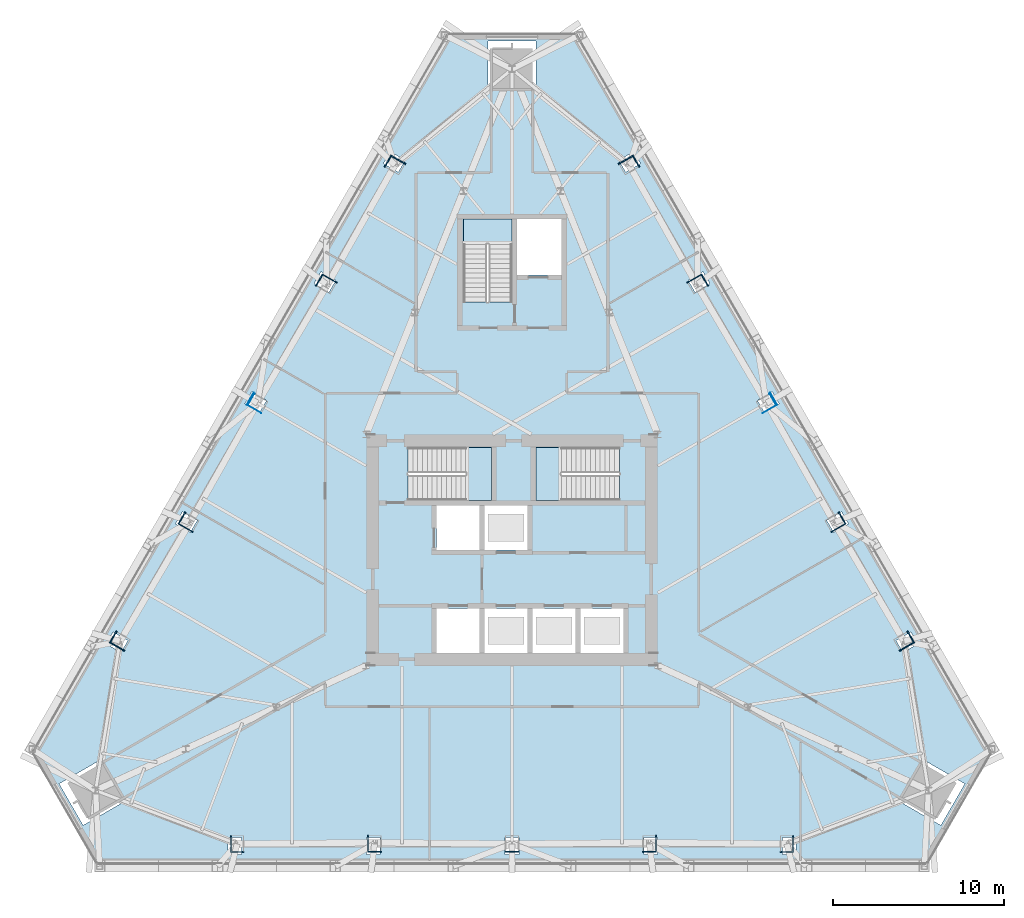
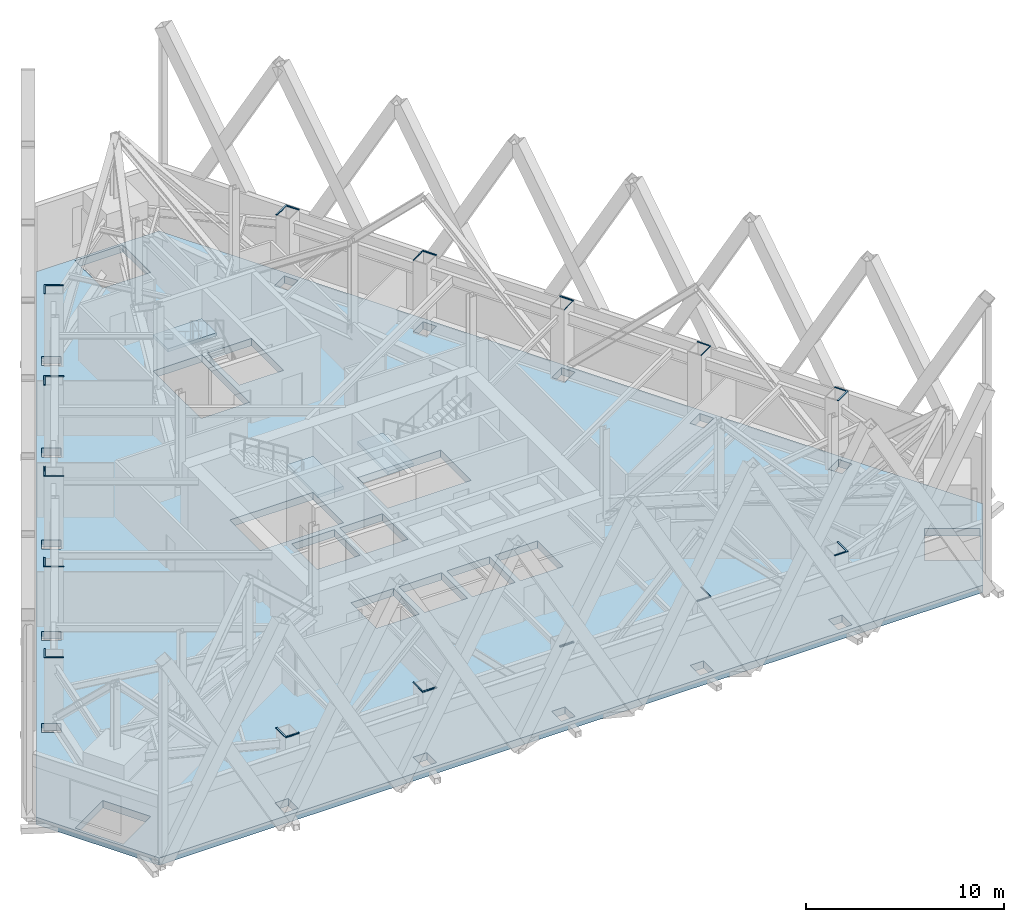
# One storey, part 6 of 16: 15 plates, 4 slabs, 3 elements without a shape of their own.
"""IFC4 building model written with IfcOpenShell, lengths in metres."""

from ifc_helpers import new_model, si_unit, direction, frame, origin, place, context, subcontext, project, spatial, polyline, outline, extrude, material, layer, layer_set, type_object, element, aggregate, save


model = new_model("IFC4")

# Units and contexts
model_context = context("Model", 3, precision=1e-05, world=origin(), true_north=direction((0.0, 1.0)))
body_context = subcontext(model_context, "Body", "Model", "MODEL_VIEW")
ifc_project = project(units=[si_unit("LENGTHUNIT", "METRE"), si_unit("AREAUNIT", "SQUARE_METRE"), si_unit("VOLUMEUNIT", "CUBIC_METRE"), si_unit("PLANEANGLEUNIT", "RADIAN"), si_unit("MASSUNIT", "GRAM", prefix="KILO")], contexts=[model_context])

# Site, building, storey
site_placement = place(None, origin())
site = spatial("IfcSite", under=ifc_project, at=site_placement, CompositionType="ELEMENT")
building_placement = place(site_placement, origin())
building = spatial("IfcBuilding", under=site, at=building_placement, Name="Firuza Gate Tower and Library", CompositionType="ELEMENT")
storey_placement = place(building_placement, frame((0.0, 0.0, 247.60009765625)))
storey = spatial("IfcBuildingStorey", under=building, at=storey_placement, Name="L58", CompositionType="ELEMENT", Elevation=247.60009765625)

# Plates
ifc_material_1 = material(Name="Steel S355", Category="steel")
ifc_layer_1 = layer(ifc_material_1, 0.030029296875)
ifc_layer_set_1 = layer_set([ifc_layer_1], Name="Column infill plate 30 Steel S355")
plate_type = type_object("IfcPlateType", Name="Column infill plate 30 Steel S355", PredefinedType="SHEET", material=ifc_layer_set_1)
placement_1 = place(storey_placement, frame((0.0, 0.0, 4.5)))
element("IfcPlate", 1, at=placement_1, inside=storey, type_object=plate_type, Name="Infill plate L58:S1", PredefinedType="SHEET", context=body_context, shape_type="SweptSolid", body=[
    extrude(outline(polyline([(59.36669921875, 57.35791015625), (59.36669921875, 57.429931640625), (58.64990234375, 57.429931640625), (58.64990234375, 58.35791015625), (58.566650390625, 58.35791015625), (58.566650390625, 57.35791015625), (59.36669921875, 57.35791015625)])), origin(), (0.0, 0.0, 1.0), 0.02978515625),
])
element("IfcPlate", 2, at=placement_1, inside=storey, type_object=plate_type, Name="Infill plate L58:S2", PredefinedType="SHEET", context=body_context, shape_type="SweptSolid", body=[
    extrude(outline(polyline([(67.38330078125, 57.35791015625), (67.38330078125, 57.429931640625), (66.625, 57.429931640625), (66.625, 58.35791015625), (66.583251953125, 58.35791015625), (66.583251953125, 57.35791015625), (67.38330078125, 57.35791015625)])), origin(), (0.0, 0.0, 1.0), 0.02978515625),
])
element("IfcPlate", 3, at=placement_1, inside=storey, type_object=plate_type, Name="Infill plate L58:S3", PredefinedType="SHEET", context=body_context, shape_type="SweptSolid", body=[
    extrude(outline(polyline([(75.39990234375, 57.35791015625), (75.39990234375, 57.429931640625), (74.60009765625, 57.429931640625), (74.60009765625, 57.35791015625), (75.39990234375, 57.35791015625)])), origin(), (0.0, 0.0, 1.0), 0.02978515625),
])
element("IfcPlate", 4, at=placement_1, inside=storey, type_object=plate_type, Name="Infill plate L58:S4", PredefinedType="SHEET", context=body_context, shape_type="SweptSolid", body=[
    extrude(outline(polyline([(83.416748046875, 58.35791015625), (83.375, 58.35791015625), (83.375, 57.429931640625), (82.61669921875, 57.429931640625), (82.61669921875, 57.35791015625), (83.416748046875, 57.35791015625), (83.416748046875, 58.35791015625)])), origin(), (0.0, 0.0, 1.0), 0.02978515625),
])
element("IfcPlate", 5, at=placement_1, inside=storey, type_object=plate_type, Name="Infill plate L58:S5", PredefinedType="SHEET", context=body_context, shape_type="SweptSolid", body=[
    extrude(outline(polyline([(91.433349609375, 58.35791015625), (91.35009765625, 58.35791015625), (91.35009765625, 57.429931640625), (90.63330078125, 57.429931640625), (90.63330078125, 57.35791015625), (91.433349609375, 57.35791015625), (91.433349609375, 58.35791015625)])), origin(), (0.0, 0.0, 1.0), 0.02978515625),
])
element("IfcPlate", 6, at=placement_1, inside=storey, type_object=plate_type, Name="Infill plate L58:E1", PredefinedType="SHEET", context=body_context, shape_type="SweptSolid", body=[
    extrude(outline(polyline([(98.09521484375, 70.2822265625), (98.03271484375, 70.24609375), (98.39111328125, 69.62548828125), (97.587646484375, 69.16162109375), (97.629150390625, 69.08935546875), (98.495361328125, 69.58935546875), (98.09521484375, 70.2822265625)])), origin(), (0.0, 0.0, 1.0), 0.02978515625),
])
element("IfcPlate", 7, at=placement_1, inside=storey, type_object=plate_type, Name="Infill plate L58:E2", PredefinedType="SHEET", context=body_context, shape_type="SweptSolid", body=[
    extrude(outline(polyline([(94.0869140625, 77.224853515625), (94.0244140625, 77.188720703125), (94.403564453125, 76.531982421875), (93.60009765625, 76.068115234375), (93.620849609375, 76.031982421875), (94.48681640625, 76.531982421875), (94.0869140625, 77.224853515625)])), origin(), (0.0, 0.0, 1.0), 0.02978515625),
])
element("IfcPlate", 8, at=placement_1, inside=storey, type_object=plate_type, Name="Infill plate L58:E3", PredefinedType="SHEET", context=body_context, shape_type="SweptSolid", body=[
    extrude(outline(polyline([(90.07861328125, 84.16748046875), (90.01611328125, 84.13134765625), (90.416015625, 83.438720703125), (89.612548828125, 82.974609375), (89.612548828125, 82.974609375), (90.478515625, 83.474609375), (90.07861328125, 84.16748046875)])), origin(), (0.0, 0.0, 1.0), 0.02978515625),
])
element("IfcPlate", 9, at=placement_1, inside=storey, type_object=plate_type, Name="Infill plate L58:E4", PredefinedType="SHEET", context=body_context, shape_type="SweptSolid", body=[
    extrude(outline(polyline([(85.204345703125, 90.610107421875), (85.22509765625, 90.573974609375), (86.028564453125, 91.0380859375), (86.40771484375, 90.38134765625), (86.47021484375, 90.417236328125), (86.0703125, 91.110107421875), (85.204345703125, 90.610107421875)])), origin(), (0.0, 0.0, 1.0), 0.02978515625),
])
element("IfcPlate", 10, at=placement_1, inside=storey, type_object=plate_type, Name="Infill plate L58:E5", PredefinedType="SHEET", context=body_context, shape_type="SweptSolid", body=[
    extrude(outline(polyline([(81.19580078125, 97.552734375), (81.237548828125, 97.480712890625), (82.041015625, 97.944580078125), (82.3994140625, 97.323974609375), (82.4619140625, 97.35986328125), (82.06201171875, 98.052734375), (81.19580078125, 97.552734375)])), origin(), (0.0, 0.0, 1.0), 0.02978515625),
])
element("IfcPlate", 11, at=placement_1, inside=storey, type_object=plate_type, Name="Infill plate L58:W1", PredefinedType="SHEET", context=body_context, shape_type="SweptSolid", body=[
    extrude(outline(polyline([(67.5380859375, 97.35986328125), (67.6005859375, 97.323974609375), (67.958984375, 97.944580078125), (68.762451171875, 97.480712890625), (68.80419921875, 97.552734375), (67.93798828125, 98.052734375), (67.5380859375, 97.35986328125)])), origin(), (0.0, 0.0, 1.0), 0.02978515625),
])
element("IfcPlate", 12, at=placement_1, inside=storey, type_object=plate_type, Name="Infill plate L58:W2", PredefinedType="SHEET", context=body_context, shape_type="SweptSolid", body=[
    extrude(outline(polyline([(63.52978515625, 90.417236328125), (63.59228515625, 90.38134765625), (63.971435546875, 91.0380859375), (64.77490234375, 90.573974609375), (64.795654296875, 90.610107421875), (63.9296875, 91.110107421875), (63.52978515625, 90.417236328125)])), origin(), (0.0, 0.0, 1.0), 0.02978515625),
])
element("IfcPlate", 13, at=placement_1, inside=storey, type_object=plate_type, Name="Infill plate L58:W3", PredefinedType="SHEET", context=body_context, shape_type="SweptSolid", body=[
    extrude(outline(polyline([(60.387451171875, 82.974609375), (60.387451171875, 82.974609375), (59.583984375, 83.438720703125), (59.98388671875, 84.13134765625), (59.92138671875, 84.16748046875), (59.521484375, 83.474609375), (60.387451171875, 82.974609375)])), origin(), (0.0, 0.0, 1.0), 0.02978515625),
])
element("IfcPlate", 14, at=placement_1, inside=storey, type_object=plate_type, Name="Infill plate L58:W4", PredefinedType="SHEET", context=body_context, shape_type="SweptSolid", body=[
    extrude(outline(polyline([(56.379150390625, 76.031982421875), (56.39990234375, 76.068115234375), (55.596435546875, 76.531982421875), (55.9755859375, 77.188720703125), (55.9130859375, 77.224853515625), (55.51318359375, 76.531982421875), (56.379150390625, 76.031982421875)])), origin(), (0.0, 0.0, 1.0), 0.02978515625),
])
element("IfcPlate", 15, at=placement_1, inside=storey, type_object=plate_type, Name="Infill plate L58:W5", PredefinedType="SHEET", context=body_context, shape_type="SweptSolid", body=[
    extrude(outline(polyline([(52.370849609375, 69.08935546875), (52.412353515625, 69.16162109375), (51.60888671875, 69.62548828125), (51.96728515625, 70.24609375), (51.90478515625, 70.2822265625), (51.504638671875, 69.58935546875), (52.370849609375, 69.08935546875)])), origin(), (0.0, 0.0, 1.0), 0.02978515625),
])

# Slab
ifc_material_2 = material(Name="Concrete C40/50", Category="concrete")
ifc_layer_2 = layer(ifc_material_2, 0.449951171875)
ifc_layer_set_2 = layer_set([ifc_layer_2], Name="Composite floor slab 450 C40/50")
slab_type_1 = type_object("IfcSlabType", Name="Composite floor slab 450 C40/50", PredefinedType="FLOOR", material=ifc_layer_set_2)
slab_1_placement = place(storey_placement, frame((0.0, 0.0, -0.4501953125)))
element("IfcSlab", 16, at=slab_1_placement, inside=storey, type_object=slab_type_1, Name="Floor slab L58", PredefinedType="FLOOR", context=body_context, shape_type="SweptSolid", body=[
    extrude(outline(polyline([(47.35009765625, 63.193115234375), (50.949951171875, 56.957763671875), (99.050048828125, 56.957763671875), (102.64990234375, 63.193115234375), (78.60009765625, 104.84912109375), (71.39990234375, 104.84912109375), (47.35009765625, 63.193115234375)]), holes=[polyline([(59.22509765625, 57.235107421875), (58.425048828125, 57.235107421875), (58.425048828125, 58.235107421875), (59.22509765625, 58.235107421875), (59.22509765625, 57.235107421875)]), polyline([(66.512451171875, 57.235107421875), (66.512451171875, 58.235107421875), (67.3125, 58.235107421875), (67.3125, 57.235107421875), (66.512451171875, 57.235107421875)]), polyline([(48.583984375, 61.365234375), (51.0087890625, 62.765380859375), (52.408935546875, 60.34033203125), (49.98388671875, 58.9404296875), (48.583984375, 61.365234375)]), polyline([(51.727783203125, 70.220947265625), (52.59375, 69.720947265625), (52.19384765625, 69.028076171875), (51.32763671875, 69.528076171875), (51.727783203125, 70.220947265625)]), polyline([(73.10009765625, 69.0), (70.60009765625, 69.0), (70.60009765625, 71.60009765625), (73.10009765625, 71.60009765625), (73.10009765625, 69.0)]), polyline([(75.89990234375, 69.0), (73.39990234375, 69.0), (73.39990234375, 71.60009765625), (75.89990234375, 71.60009765625), (75.89990234375, 69.0)]), polyline([(73.10009765625, 75.0), (70.60009765625, 75.0), (70.60009765625, 77.60009765625), (73.10009765625, 77.60009765625), (73.10009765625, 75.0)]), polyline([(75.89990234375, 77.60009765625), (75.89990234375, 75.0), (73.39990234375, 75.0), (73.39990234375, 77.60009765625), (75.89990234375, 77.60009765625)]), polyline([(55.771484375, 77.224853515625), (56.637451171875, 76.724853515625), (56.237548828125, 76.031982421875), (55.37158203125, 76.531982421875), (55.771484375, 77.224853515625)]), polyline([(68.9404296875, 77.89990234375), (68.9404296875, 80.97998046875), (73.81005859375, 80.97998046875), (73.81005859375, 77.89990234375), (68.9404296875, 77.89990234375)]), polyline([(59.815185546875, 84.228759765625), (60.68115234375, 83.728759765625), (60.28125, 83.035888671875), (59.415283203125, 83.535888671875), (59.815185546875, 84.228759765625)]), polyline([(63.85888671875, 91.232666015625), (64.724853515625, 90.732666015625), (64.324951171875, 90.0400390625), (63.458984375, 90.5400390625), (63.85888671875, 91.232666015625)]), polyline([(72.159912109375, 89.470458984375), (72.159912109375, 94.300048828125), (75.0, 94.300048828125), (75.0, 89.470458984375), (72.159912109375, 89.470458984375)]), polyline([(67.902587890625, 98.23681640625), (68.768798828125, 97.73681640625), (68.36865234375, 97.0439453125), (67.502685546875, 97.5439453125), (67.902587890625, 98.23681640625)]), polyline([(75.39990234375, 57.235107421875), (74.60009765625, 57.235107421875), (74.60009765625, 58.235107421875), (75.39990234375, 58.235107421875), (75.39990234375, 57.235107421875)]), polyline([(82.6875, 57.235107421875), (82.6875, 58.235107421875), (83.487548828125, 58.235107421875), (83.487548828125, 57.235107421875), (82.6875, 57.235107421875)]), polyline([(90.77490234375, 57.235107421875), (90.77490234375, 58.235107421875), (91.574951171875, 58.235107421875), (91.574951171875, 57.235107421875), (90.77490234375, 57.235107421875)]), polyline([(100.01611328125, 58.9404296875), (97.591064453125, 60.34033203125), (98.9912109375, 62.765380859375), (101.416015625, 61.365234375), (100.01611328125, 58.9404296875)]), polyline([(98.67236328125, 69.528076171875), (97.80615234375, 69.028076171875), (97.40625, 69.720947265625), (98.272216796875, 70.220947265625), (98.67236328125, 69.528076171875)]), polyline([(78.699951171875, 69.0), (76.199951171875, 69.0), (76.199951171875, 71.60009765625), (78.699951171875, 71.60009765625), (78.699951171875, 69.0)]), polyline([(81.5, 69.0), (79.0, 69.0), (79.0, 71.60009765625), (81.5, 71.60009765625), (81.5, 69.0)]), polyline([(94.228515625, 77.224853515625), (94.62841796875, 76.531982421875), (93.762451171875, 76.031982421875), (93.362548828125, 76.724853515625), (94.228515625, 77.224853515625)]), polyline([(81.259521484375, 77.89990234375), (76.389892578125, 77.89990234375), (76.389892578125, 80.97998046875), (81.259521484375, 80.97998046875), (81.259521484375, 77.89990234375)]), polyline([(90.584716796875, 83.535888671875), (89.71875, 83.035888671875), (89.31884765625, 83.728759765625), (90.184814453125, 84.228759765625), (90.584716796875, 83.535888671875)]), polyline([(86.541015625, 90.5400390625), (85.675048828125, 90.0400390625), (85.275146484375, 90.732666015625), (86.14111328125, 91.232666015625), (86.541015625, 90.5400390625)]), polyline([(77.89990234375, 91.050048828125), (75.300048828125, 91.050048828125), (75.300048828125, 94.300048828125), (77.89990234375, 94.300048828125), (77.89990234375, 91.050048828125)]), polyline([(82.497314453125, 97.5439453125), (81.63134765625, 97.0439453125), (81.231201171875, 97.73681640625), (82.097412109375, 98.23681640625), (82.497314453125, 97.5439453125)]), polyline([(76.39990234375, 104.6943359375), (76.39990234375, 101.894287109375), (73.60009765625, 101.894287109375), (73.60009765625, 104.6943359375), (76.39990234375, 104.6943359375)])]), origin(), (0.0, 0.0, 1.0), 0.4501953125),
])

# Stair, slab
ifc_material_3 = material(Name="Concrete C35/45", Category="concrete")
stair_type_1 = type_object("IfcStairType", Name="Exit stair ST1", PredefinedType="HALF_TURN_STAIR", material=ifc_material_3)
placement_2 = place(storey_placement, origin())
stair_1 = element("IfcStair", 17, at=placement_2, inside=storey, type_object=stair_type_1, Name="L58 Stair ST1", PredefinedType="HALF_TURN_STAIR")
ifc_material_4 = material(Name="Concrete C35/45", Category="concrete")
ifc_layer_3 = layer(ifc_material_4, 0.199951171875)
ifc_layer_set_3 = layer_set([ifc_layer_3], Name="Stair landing 200")
slab_type_2 = type_object("IfcSlabType", Name="Stair landing 200", PredefinedType="LANDING", material=ifc_layer_set_3)
placement_3 = place(storey_placement, frame((0.0, 0.0, 2.0498046875)))
slab_2 = element("IfcSlab", 18, at=placement_3, type_object=slab_type_2, Name="ST1 landing 1", PredefinedType="LANDING", context=body_context, shape_type="SweptSolid", body=[
    extrude(outline(polyline([(72.300048828125, 77.89990234375), (73.81005859375, 77.89990234375), (73.81005859375, 80.97998046875), (72.300048828125, 80.97998046875), (72.300048828125, 77.89990234375)])), origin(), (0.0, 0.0, 1.0), 0.2001953125),
])
aggregate(stair_1, [slab_2])

stair_2 = element("IfcStair", 19, at=placement_2, inside=storey, type_object=stair_type_1, Name="L58 Stair ST2", PredefinedType="HALF_TURN_STAIR")
slab_3 = element("IfcSlab", 20, at=placement_3, type_object=slab_type_2, Name="ST2 landing 1", PredefinedType="LANDING", context=body_context, shape_type="SweptSolid", body=[
    extrude(outline(polyline([(77.89990234375, 80.97998046875), (76.389892578125, 80.97998046875), (76.389892578125, 77.89990234375), (77.89990234375, 77.89990234375), (77.89990234375, 80.97998046875)])), origin(), (0.0, 0.0, 1.0), 0.2001953125),
])
aggregate(stair_2, [slab_3])

ifc_material_5 = material(Name="Concrete C35/45", Category="concrete")
stair_type_2 = type_object("IfcStairType", Name="Exit stair ST10", PredefinedType="HALF_TURN_STAIR", material=ifc_material_5)
stair_3 = element("IfcStair", 21, at=placement_2, inside=storey, type_object=stair_type_2, Name="L58 Stair ST3", PredefinedType="HALF_TURN_STAIR")
slab_4 = element("IfcSlab", 22, at=placement_3, type_object=slab_type_2, Name="ST3 landing 1", PredefinedType="LANDING", context=body_context, shape_type="SweptSolid", body=[
    extrude(outline(polyline([(75.0, 92.830078125), (75.0, 94.300048828125), (72.159912109375, 94.300048828125), (72.159912109375, 92.830078125), (75.0, 92.830078125)])), origin(), (0.0, 0.0, 1.0), 0.2001953125),
])
aggregate(stair_3, [slab_4])

save(model, "model.ifc")
